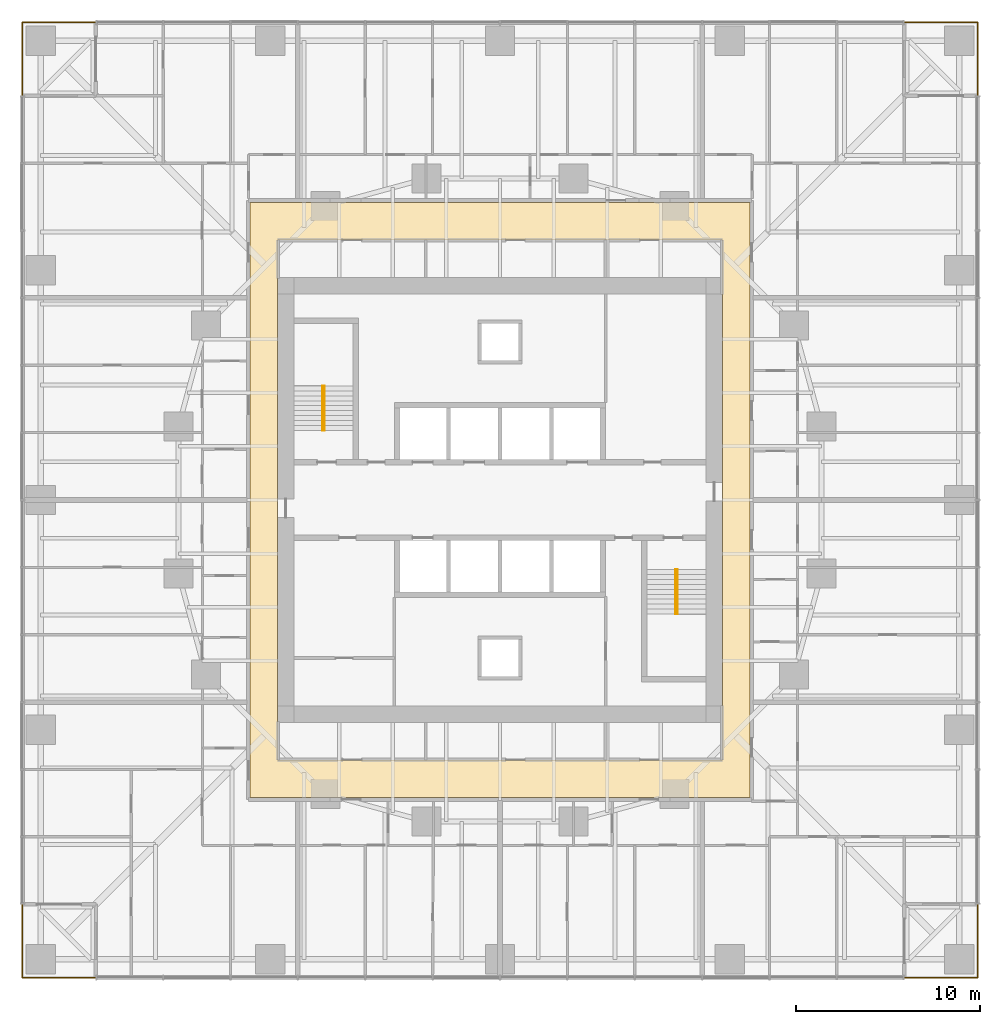
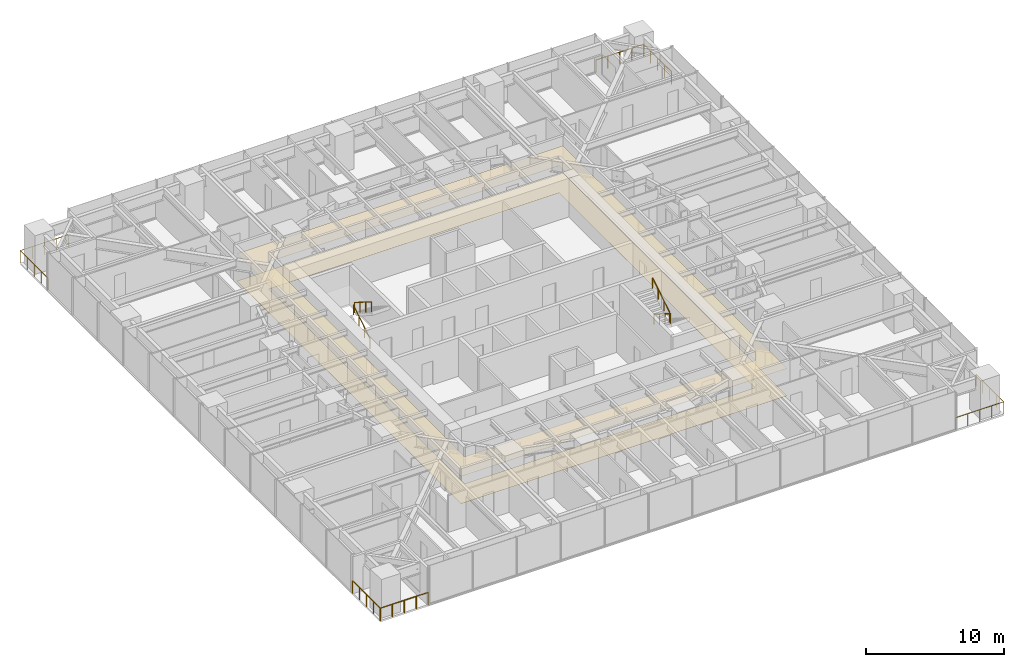
# One storey, part 14 of 14: 8 railings, 2 coverings, 2 elements without a shape of their own.
"""IFC4 building model written with IfcOpenShell, lengths in metres."""

from ifc_helpers import new_model, si_unit, direction, frame, origin, origin_2d, place, context, subcontext, project, spatial, polyline, circle, outline, extrude, material, layer, layer_set, type_object, element, aggregate, save


model = new_model("IFC4")

# Units and contexts
model_context = context("Model", 3, precision=1e-05, world=origin(), true_north=direction((0.0, 1.0)))
body_context = subcontext(model_context, "Body", "Model", "MODEL_VIEW")
ifc_project = project(units=[si_unit("LENGTHUNIT", "METRE"), si_unit("AREAUNIT", "SQUARE_METRE"), si_unit("VOLUMEUNIT", "CUBIC_METRE"), si_unit("PLANEANGLEUNIT", "RADIAN"), si_unit("MASSUNIT", "GRAM", prefix="KILO")], contexts=[model_context])

# Site, building, storey
site_placement = place(None, origin())
site = spatial("IfcSite", under=ifc_project, at=site_placement, CompositionType="ELEMENT")
building_placement = place(site_placement, origin())
building = spatial("IfcBuilding", under=site, at=building_placement, Name="Torsade Residences", CompositionType="ELEMENT")
storey_placement = place(building_placement, frame((0.0, 0.0, 32.0)))
storey = spatial("IfcBuildingStorey", under=building, at=storey_placement, Name="L08", CompositionType="ELEMENT", Elevation=32.0)

# Coverings
ifc_material_1 = material(Name="Nylon carpet tile on underlay", Category="textile")
ifc_layer_1 = layer(ifc_material_1, 0.010009765625)
ifc_layer_set_1 = layer_set([ifc_layer_1], Name="Nylon carpet tile on underlay")
covering_type_1 = type_object("IfcCoveringType", Name="CORRIDOR CARPET TILE 10", PredefinedType="FLOORING", material=ifc_layer_set_1)
covering_1_placement = place(storey_placement, origin())
element("IfcCovering", 1, at=covering_1_placement, inside=storey, type_object=covering_type_1, Name="Corridor carpet L08", PredefinedType="FLOORING", context=body_context, shape_type="SweptSolid", body=[
    extrude(outline(polyline([(26.39990234375, 46.199951171875), (26.39990234375, 13.800048828125), (53.60009765625, 13.800048828125), (53.60009765625, 46.199951171875), (26.39990234375, 46.199951171875)]), holes=[polyline([(52.10009765625, 44.14990234375), (27.89990234375, 44.14990234375), (27.89990234375, 15.85009765625), (52.10009765625, 15.85009765625), (52.10009765625, 44.14990234375)])]), origin(), (0.0, 0.0, 1.0), 0.010009765625),
])
ifc_material_2 = material(Name="Plasterboard on suspended steel grid", Category="steel")
ifc_layer_2 = layer(ifc_material_2, 0.012939453125)
ifc_layer_set_2 = layer_set([ifc_layer_2], Name="Plasterboard on suspended steel grid")
covering_type_2 = type_object("IfcCoveringType", Name="CORRIDOR SUSPENDED CEILING 13", PredefinedType="CEILING", material=ifc_layer_set_2)
covering_2_placement = place(storey_placement, frame((0.0, 0.0, 2.39990234375)))
element("IfcCovering", 2, at=covering_2_placement, inside=storey, type_object=covering_type_2, Name="Corridor ceiling L08", PredefinedType="CEILING", context=body_context, shape_type="SweptSolid", body=[
    extrude(outline(polyline([(26.39990234375, 46.199951171875), (26.39990234375, 13.800048828125), (53.60009765625, 13.800048828125), (53.60009765625, 46.199951171875), (26.39990234375, 46.199951171875)]), holes=[polyline([(52.10009765625, 44.14990234375), (27.89990234375, 44.14990234375), (27.89990234375, 15.85009765625), (52.10009765625, 15.85009765625), (52.10009765625, 44.14990234375)])]), origin(), (0.0, 0.0, 1.0), 0.01318359375),
])

# Stair, railings
ifc_material_3 = material(Name="Precast concrete 40 MPa", Category="concrete")
stair_type = type_object("IfcStairType", Name="HALF-TURN FIRE STAIR 1500x3400", PredefinedType="HALF_TURN_STAIR", material=ifc_material_3)
stair_1_placement = place(storey_placement, origin())
stair_1 = element("IfcStair", 3, at=stair_1_placement, inside=storey, type_object=stair_type, Name="Stair ST1 L08", PredefinedType="HALF_TURN_STAIR")
ifc_material_4 = material(Name="Steel handrail", Category="steel")
railing_type_1 = type_object("IfcRailingType", Name="STAIR HANDRAIL 900", PredefinedType="HANDRAIL", material=ifc_material_4)
railing_1_placement = place(storey_placement, frame((30.35009765625, 33.780029296875, 0.169921875)))
railing_1 = element("IfcRailing", 4, at=railing_1_placement, type_object=railing_type_1, Name="Handrail ST1 flight 1 L08", PredefinedType="HANDRAIL", context=body_context, shape_type="SweptSolid", body=[
    extrude(circle(Radius=0.02392578125, at=origin_2d()), frame((0.0, 0.0, 0.8759765625), z_axis=(0.0, 0.846221481393, 0.532831309544), x_axis=(-1.0, 0.0, 0.0)), (0.0, 0.0, 1.0), 2.87158203125),
    extrude(circle(Radius=0.02099609375, at=origin_2d()), origin(), (0.0, 0.0, 1.0), 0.851806640625),
    extrude(circle(Radius=0.02099609375, at=origin_2d()), frame((0.0, 0.81005859375, 0.510009765625)), (0.0, 0.0, 1.0), 0.851806640625),
    extrude(circle(Radius=0.02099609375, at=origin_2d()), frame((0.0, 1.619873046875, 1.02001953125)), (0.0, 0.0, 1.0), 0.851806640625),
    extrude(circle(Radius=0.02099609375, at=origin_2d()), frame((0.0, 2.429931640625, 1.530029296875)), (0.0, 0.0, 1.0), 0.851806640625),
])
railing_2_placement = place(storey_placement, frame((30.449951171875, 36.2099609375, 1.8701171875)))
railing_2 = element("IfcRailing", 5, at=railing_2_placement, type_object=railing_type_1, Name="Handrail ST1 flight 2 L08", PredefinedType="HANDRAIL", context=body_context, shape_type="SweptSolid", body=[
    extrude(circle(Radius=0.02392578125, at=origin_2d()), frame((0.0, 0.0, 0.8759765625), z_axis=(0.0, -0.846259816676, 0.532770422113), x_axis=(1.0, 0.0, 0.0)), (0.0, 0.0, 1.0), 2.871337890625),
    extrude(circle(Radius=0.02099609375, at=origin_2d()), origin(), (0.0, 0.0, 1.0), 0.851806640625),
    extrude(circle(Radius=0.02099609375, at=origin_2d()), frame((0.0, -0.81005859375, 0.510009765625)), (0.0, 0.0, 1.0), 0.851806640625),
    extrude(circle(Radius=0.02099609375, at=origin_2d()), frame((0.0, -1.619873046875, 1.019775390625)), (0.0, 0.0, 1.0), 0.851806640625),
    extrude(circle(Radius=0.02099609375, at=origin_2d()), frame((0.0, -2.429931640625, 1.52978515625)), (0.0, 0.0, 1.0), 0.851806640625),
])
aggregate(stair_1, [railing_1, railing_2])

stair_2_placement = place(storey_placement, origin())
stair_2 = element("IfcStair", 6, at=stair_2_placement, inside=storey, type_object=stair_type, Name="Stair ST2 L08", PredefinedType="HALF_TURN_STAIR")
railing_3_placement = place(storey_placement, frame((49.64990234375, 26.219970703125, 0.169921875)))
railing_3 = element("IfcRailing", 7, at=railing_3_placement, type_object=railing_type_1, Name="Handrail ST2 flight 1 L08", PredefinedType="HANDRAIL", context=body_context, shape_type="SweptSolid", body=[
    extrude(circle(Radius=0.02392578125, at=origin_2d()), frame((0.0, 0.0, 0.8759765625), z_axis=(0.0, -0.846221481393, 0.532831309544), x_axis=(1.0, 0.0, 0.0)), (0.0, 0.0, 1.0), 2.87158203125),
    extrude(circle(Radius=0.02099609375, at=origin_2d()), origin(), (0.0, 0.0, 1.0), 0.851806640625),
    extrude(circle(Radius=0.02099609375, at=origin_2d()), frame((0.0, -0.81005859375, 0.510009765625)), (0.0, 0.0, 1.0), 0.851806640625),
    extrude(circle(Radius=0.02099609375, at=origin_2d()), frame((0.0, -1.619873046875, 1.02001953125)), (0.0, 0.0, 1.0), 0.851806640625),
    extrude(circle(Radius=0.02099609375, at=origin_2d()), frame((0.0, -2.429931640625, 1.530029296875)), (0.0, 0.0, 1.0), 0.851806640625),
])
railing_4_placement = place(storey_placement, frame((49.550048828125, 23.7900390625, 1.8701171875)))
railing_4 = element("IfcRailing", 8, at=railing_4_placement, type_object=railing_type_1, Name="Handrail ST2 flight 2 L08", PredefinedType="HANDRAIL", context=body_context, shape_type="SweptSolid", body=[
    extrude(circle(Radius=0.02392578125, at=origin_2d()), frame((0.0, 0.0, 0.8759765625), z_axis=(0.0, 0.846259816676, 0.532770422113), x_axis=(-1.0, 0.0, 0.0)), (0.0, 0.0, 1.0), 2.871337890625),
    extrude(circle(Radius=0.02099609375, at=origin_2d()), origin(), (0.0, 0.0, 1.0), 0.851806640625),
    extrude(circle(Radius=0.02099609375, at=origin_2d()), frame((0.0, 0.81005859375, 0.510009765625)), (0.0, 0.0, 1.0), 0.851806640625),
    extrude(circle(Radius=0.02099609375, at=origin_2d()), frame((0.0, 1.619873046875, 1.019775390625)), (0.0, 0.0, 1.0), 0.851806640625),
    extrude(circle(Radius=0.02099609375, at=origin_2d()), frame((0.0, 2.429931640625, 1.52978515625)), (0.0, 0.0, 1.0), 0.851806640625),
])
aggregate(stair_2, [railing_3, railing_4])

# Railings
ifc_material_5 = material(Name="Laminated glass balustrade", Category="glass")
railing_type_2 = type_object("IfcRailingType", Name="TERRACE GLASS BALUSTRADE 1100", PredefinedType="BALUSTRADE", material=ifc_material_5)
railing_5_placement = place(storey_placement, frame((62.0, 4.0, 0.0)))
element("IfcRailing", 9, at=railing_5_placement, inside=storey, type_object=railing_type_2, Name="Terrace balustrade SE L08", PredefinedType="BALUSTRADE", context=body_context, shape_type="SweptSolid", body=[
    extrude(circle(Radius=0.02392578125, at=origin_2d()), frame((0.0, 0.0, 1.076171875), z_axis=(1.0, 0.0, 0.0), x_axis=(0.0, 1.0, 0.0)), (0.0, 0.0, 1.0), 4.0),
    extrude(circle(Radius=0.02392578125, at=origin_2d()), frame((4.0, 0.0, 1.076171875), z_axis=(0.0, 1.0, 0.0), x_axis=(-1.0, 0.0, 0.0)), (0.0, 0.0, 1.0), 4.0),
    extrude(circle(Radius=0.02099609375, at=origin_2d()), origin(), (0.0, 0.0, 1.0), 1.052001953125),
    extrude(circle(Radius=0.02099609375, at=origin_2d()), frame((1.0, 0.0, 0.0)), (0.0, 0.0, 1.0), 1.052001953125),
    extrude(circle(Radius=0.02099609375, at=origin_2d()), frame((2.0, 0.0, 0.0)), (0.0, 0.0, 1.0), 1.052001953125),
    extrude(circle(Radius=0.02099609375, at=origin_2d()), frame((3.0, 0.0, 0.0)), (0.0, 0.0, 1.0), 1.052001953125),
    extrude(circle(Radius=0.02099609375, at=origin_2d()), frame((4.0, 0.0, 0.0)), (0.0, 0.0, 1.0), 1.052001953125),
    extrude(circle(Radius=0.02099609375, at=origin_2d()), frame((4.0, 1.0, 0.0)), (0.0, 0.0, 1.0), 1.052001953125),
    extrude(circle(Radius=0.02099609375, at=origin_2d()), frame((4.0, 2.0, 0.0)), (0.0, 0.0, 1.0), 1.052001953125),
    extrude(circle(Radius=0.02099609375, at=origin_2d()), frame((4.0, 3.0, 0.0)), (0.0, 0.0, 1.0), 1.052001953125),
    extrude(circle(Radius=0.02099609375, at=origin_2d()), frame((4.0, 4.0, 0.0)), (0.0, 0.0, 1.0), 1.052001953125),
])
railing_6_placement = place(storey_placement, frame((66.0, 52.0, 0.0)))
element("IfcRailing", 10, at=railing_6_placement, inside=storey, type_object=railing_type_2, Name="Terrace balustrade NE L08", PredefinedType="BALUSTRADE", context=body_context, shape_type="SweptSolid", body=[
    extrude(circle(Radius=0.02392578125, at=origin_2d()), frame((0.0, 0.0, 1.076171875), z_axis=(0.0, 1.0, 0.0), x_axis=(-1.0, 0.0, 0.0)), (0.0, 0.0, 1.0), 4.0),
    extrude(circle(Radius=0.02392578125, at=origin_2d()), frame((0.0, 4.0, 1.076171875), z_axis=(-1.0, 0.0, 0.0), x_axis=(0.0, -1.0, 0.0)), (0.0, 0.0, 1.0), 4.0),
    extrude(circle(Radius=0.02099609375, at=origin_2d()), origin(), (0.0, 0.0, 1.0), 1.052001953125),
    extrude(circle(Radius=0.02099609375, at=origin_2d()), frame((0.0, 1.0, 0.0)), (0.0, 0.0, 1.0), 1.052001953125),
    extrude(circle(Radius=0.02099609375, at=origin_2d()), frame((0.0, 2.0, 0.0)), (0.0, 0.0, 1.0), 1.052001953125),
    extrude(circle(Radius=0.02099609375, at=origin_2d()), frame((0.0, 3.0, 0.0)), (0.0, 0.0, 1.0), 1.052001953125),
    extrude(circle(Radius=0.02099609375, at=origin_2d()), frame((0.0, 4.0, 0.0)), (0.0, 0.0, 1.0), 1.052001953125),
    extrude(circle(Radius=0.02099609375, at=origin_2d()), frame((-1.0, 4.0, 0.0)), (0.0, 0.0, 1.0), 1.052001953125),
    extrude(circle(Radius=0.02099609375, at=origin_2d()), frame((-2.0, 4.0, 0.0)), (0.0, 0.0, 1.0), 1.052001953125),
    extrude(circle(Radius=0.02099609375, at=origin_2d()), frame((-3.0, 4.0, 0.0)), (0.0, 0.0, 1.0), 1.052001953125),
    extrude(circle(Radius=0.02099609375, at=origin_2d()), frame((-4.0, 4.0, 0.0)), (0.0, 0.0, 1.0), 1.052001953125),
])
railing_7_placement = place(storey_placement, frame((18.0, 56.0, 0.0)))
element("IfcRailing", 11, at=railing_7_placement, inside=storey, type_object=railing_type_2, Name="Terrace balustrade NW L08", PredefinedType="BALUSTRADE", context=body_context, shape_type="SweptSolid", body=[
    extrude(circle(Radius=0.02392578125, at=origin_2d()), frame((0.0, 0.0, 1.076171875), z_axis=(-1.0, 0.0, 0.0), x_axis=(0.0, -1.0, 0.0)), (0.0, 0.0, 1.0), 4.0),
    extrude(circle(Radius=0.02392578125, at=origin_2d()), frame((-4.0, 0.0, 1.076171875), z_axis=(0.0, -1.0, 0.0), x_axis=(1.0, 0.0, 0.0)), (0.0, 0.0, 1.0), 4.0),
    extrude(circle(Radius=0.02099609375, at=origin_2d()), origin(), (0.0, 0.0, 1.0), 1.052001953125),
    extrude(circle(Radius=0.02099609375, at=origin_2d()), frame((-1.0, 0.0, 0.0)), (0.0, 0.0, 1.0), 1.052001953125),
    extrude(circle(Radius=0.02099609375, at=origin_2d()), frame((-2.0, 0.0, 0.0)), (0.0, 0.0, 1.0), 1.052001953125),
    extrude(circle(Radius=0.02099609375, at=origin_2d()), frame((-3.0, 0.0, 0.0)), (0.0, 0.0, 1.0), 1.052001953125),
    extrude(circle(Radius=0.02099609375, at=origin_2d()), frame((-4.0, 0.0, 0.0)), (0.0, 0.0, 1.0), 1.052001953125),
    extrude(circle(Radius=0.02099609375, at=origin_2d()), frame((-4.0, -1.0, 0.0)), (0.0, 0.0, 1.0), 1.052001953125),
    extrude(circle(Radius=0.02099609375, at=origin_2d()), frame((-4.0, -2.0, 0.0)), (0.0, 0.0, 1.0), 1.052001953125),
    extrude(circle(Radius=0.02099609375, at=origin_2d()), frame((-4.0, -3.0, 0.0)), (0.0, 0.0, 1.0), 1.052001953125),
    extrude(circle(Radius=0.02099609375, at=origin_2d()), frame((-4.0, -4.0, 0.0)), (0.0, 0.0, 1.0), 1.052001953125),
])
railing_8_placement = place(storey_placement, frame((14.0, 8.0, 0.0)))
element("IfcRailing", 12, at=railing_8_placement, inside=storey, type_object=railing_type_2, Name="Terrace balustrade SW L08", PredefinedType="BALUSTRADE", context=body_context, shape_type="SweptSolid", body=[
    extrude(circle(Radius=0.02392578125, at=origin_2d()), frame((0.0, 0.0, 1.076171875), z_axis=(0.0, -1.0, 0.0), x_axis=(1.0, 0.0, 0.0)), (0.0, 0.0, 1.0), 4.0),
    extrude(circle(Radius=0.02392578125, at=origin_2d()), frame((0.0, -4.0, 1.076171875), z_axis=(1.0, 0.0, 0.0), x_axis=(0.0, 1.0, 0.0)), (0.0, 0.0, 1.0), 4.0),
    extrude(circle(Radius=0.02099609375, at=origin_2d()), origin(), (0.0, 0.0, 1.0), 1.052001953125),
    extrude(circle(Radius=0.02099609375, at=origin_2d()), frame((0.0, -1.0, 0.0)), (0.0, 0.0, 1.0), 1.052001953125),
    extrude(circle(Radius=0.02099609375, at=origin_2d()), frame((0.0, -2.0, 0.0)), (0.0, 0.0, 1.0), 1.052001953125),
    extrude(circle(Radius=0.02099609375, at=origin_2d()), frame((0.0, -3.0, 0.0)), (0.0, 0.0, 1.0), 1.052001953125),
    extrude(circle(Radius=0.02099609375, at=origin_2d()), frame((0.0, -4.0, 0.0)), (0.0, 0.0, 1.0), 1.052001953125),
    extrude(circle(Radius=0.02099609375, at=origin_2d()), frame((1.0, -4.0, 0.0)), (0.0, 0.0, 1.0), 1.052001953125),
    extrude(circle(Radius=0.02099609375, at=origin_2d()), frame((2.0, -4.0, 0.0)), (0.0, 0.0, 1.0), 1.052001953125),
    extrude(circle(Radius=0.02099609375, at=origin_2d()), frame((3.0, -4.0, 0.0)), (0.0, 0.0, 1.0), 1.052001953125),
    extrude(circle(Radius=0.02099609375, at=origin_2d()), frame((4.0, -4.0, 0.0)), (0.0, 0.0, 1.0), 1.052001953125),
])

save(model, "model.ifc")
